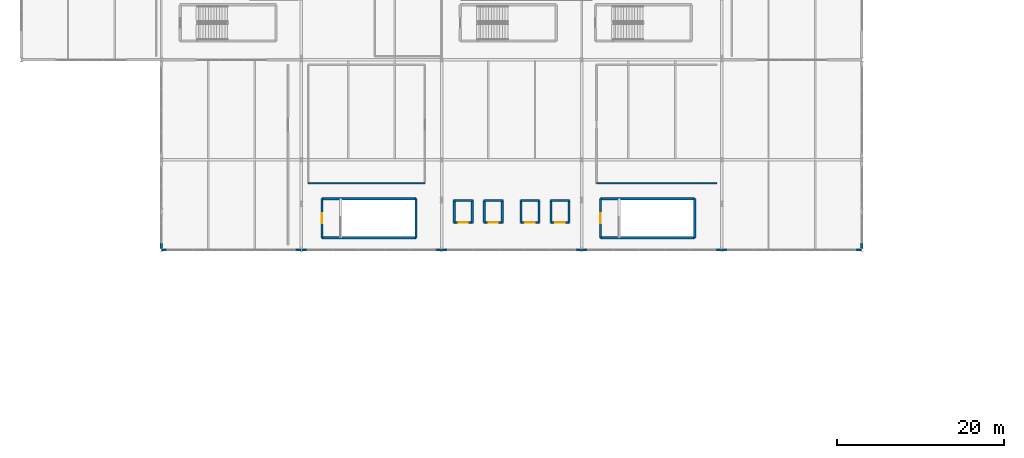
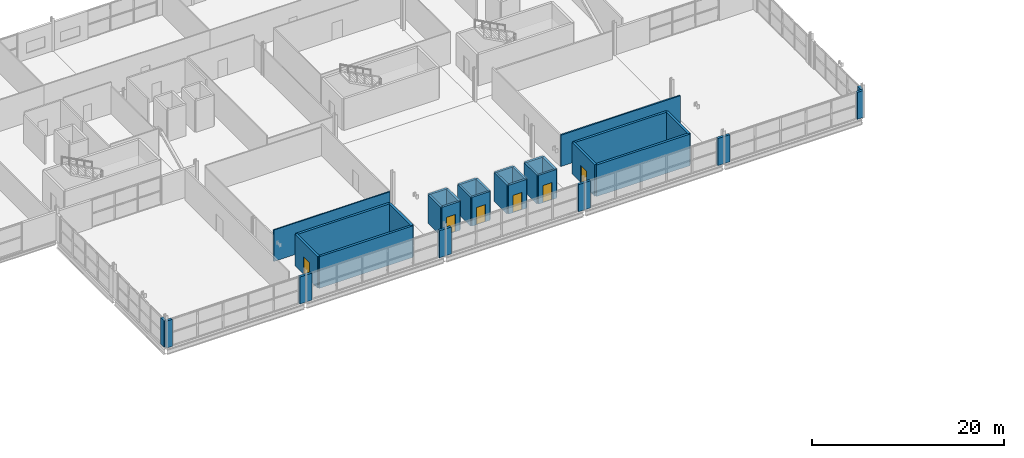
# One storey, part 30 of 39: 38 walls, 6 doors, 6 openings.
"""IFC4 building model written with IfcOpenShell, lengths in metres."""

from ifc_helpers import new_model, si_unit, direction, frame, frame_2d, origin, place, context, subcontext, project, spatial, rectangle, extrude, material, layer, layer_set, type_object, element, fill, save


model = new_model("IFC4")

# Units and contexts
model_context = context("Model", 3, precision=1e-05, world=origin(), true_north=direction((0.0, 1.0)))
body_context = subcontext(model_context, "Body", "Model", "MODEL_VIEW")
ifc_project = project(units=[si_unit("LENGTHUNIT", "METRE"), si_unit("AREAUNIT", "SQUARE_METRE"), si_unit("VOLUMEUNIT", "CUBIC_METRE"), si_unit("PLANEANGLEUNIT", "RADIAN"), si_unit("MASSUNIT", "GRAM", prefix="KILO")], contexts=[model_context])

# Site, building, storey
site_placement = place(None, origin())
site = spatial("IfcSite", under=ifc_project, at=site_placement, CompositionType="ELEMENT")
building_placement = place(site_placement, origin())
building = spatial("IfcBuilding", under=site, at=building_placement, Name="Kimbaza Rail Terminus", CompositionType="ELEMENT")
storey_placement = place(building_placement, frame((0.0, 0.0, 16.800048828125)))
storey = spatial("IfcBuildingStorey", under=building, at=storey_placement, Name="L03", CompositionType="ELEMENT", Elevation=16.800048828125)

# Walls
ifc_material_1 = material(Name="Precast concrete C40/50", Category="concrete")
ifc_layer_1 = layer(ifc_material_1, 0.280029296875)
ifc_layer_set_1 = layer_set([ifc_layer_1], Name="Precast concrete C40/50")
wall_type_1 = type_object("IfcWallType", Name="ARC-WL-EXT280", PredefinedType="STANDARD", material=ifc_layer_set_1)
wall_1_placement = place(storey_placement, frame((72.0, 80.340087890625, 0.0), z_axis=(0.0, 0.0, 1.0), x_axis=(0.0, 1.0, 0.0)))
element("IfcWall", 1, at=wall_1_placement, inside=storey, type_object=wall_type_1, Name="Over-Track Footbridge W Panoramic Curtain Wall 1 Corner Pier A", PredefinedType="STANDARD", context=body_context, shape_type="SweptSolid", body=[
    extrude(rectangle(XDim=0.719970703125, YDim=0.280029296875, at=frame_2d((0.35986328125, 0.0))), origin(), (0.0, 0.0, 1.0), 3.369873046875),
])
for number, where, z_axis, x_axis, name in (
    (2, (156.0, 80.340087890625, 0.0), (0.0, 0.0, 1.0), (0.0, 1.0, 0.0), "Over-Track Footbridge E Panoramic Curtain Wall 1 Corner Pier A"),
    (3, (72.0, 80.199951171875, 0.0), (0.0, 0.0, 1.0), (1.0, 0.0, 0.0), "Over-Track Footbridge South Curtain Wall 1 Corner Pier A"),
    (4, (88.080078125, 80.199951171875, 0.0), (0.0, 0.0, 1.0), (1.0, 0.0, 0.0), "Over-Track Footbridge South Curtain Wall 1 Corner Pier B"),
    (5, (88.800048828125, 80.199951171875, 0.0), (0.0, 0.0, 1.0), (1.0, 0.0, 0.0), "Over-Track Footbridge South Curtain Wall 2 Corner Pier A"),
):
    element("IfcWall", number, at=place(storey_placement, frame(where, z_axis=z_axis, x_axis=x_axis)), inside=storey, type_object=wall_type_1, Name=name, PredefinedType="STANDARD", context=body_context, shape_type="SweptSolid", body=[
        extrude(rectangle(XDim=0.719970703125, YDim=0.280029296875, at=frame_2d((0.35986328125, 0.0))), origin(), (0.0, 0.0, 1.0), 3.449951171875),
    ])
wall_2_placement = place(storey_placement, frame((104.8798828125, 80.199951171875, 0.0), z_axis=(0.0, 0.0, 1.0), x_axis=(1.0, 0.0, 0.0)))
element("IfcWall", 6, at=wall_2_placement, inside=storey, type_object=wall_type_1, Name="Over-Track Footbridge South Curtain Wall 2 Corner Pier B", PredefinedType="STANDARD", context=body_context, shape_type="SweptSolid", body=[
    extrude(rectangle(XDim=0.72021484375, YDim=0.280029296875, at=frame_2d((0.360107421875, 0.0))), origin(), (0.0, 0.0, 1.0), 3.449951171875),
])
for number, where, z_axis, x_axis, name in (
    (7, (105.60009765625, 80.199951171875, 0.0), (0.0, 0.0, 1.0), (1.0, 0.0, 0.0), "Over-Track Footbridge South Curtain Wall 3 Corner Pier A"),
    (8, (121.679931640625, 80.199951171875, 0.0), (0.0, 0.0, 1.0), (1.0, 0.0, 0.0), "Over-Track Footbridge South Curtain Wall 3 Corner Pier B"),
):
    element("IfcWall", number, at=place(storey_placement, frame(where, z_axis=z_axis, x_axis=x_axis)), inside=storey, type_object=wall_type_1, Name=name, PredefinedType="STANDARD", context=body_context, shape_type="SweptSolid", body=[
        extrude(rectangle(XDim=0.719970703125, YDim=0.280029296875, at=frame_2d((0.35986328125, 0.0))), origin(), (0.0, 0.0, 1.0), 3.449951171875),
    ])
wall_3_placement = place(storey_placement, frame((122.39990234375, 80.199951171875, 0.0), z_axis=(0.0, 0.0, 1.0), x_axis=(1.0, 0.0, 0.0)))
element("IfcWall", 9, at=wall_3_placement, inside=storey, type_object=wall_type_1, Name="Over-Track Footbridge South Curtain Wall 4 Corner Pier A", PredefinedType="STANDARD", context=body_context, shape_type="SweptSolid", body=[
    extrude(rectangle(XDim=0.72021484375, YDim=0.280029296875, at=frame_2d((0.360107421875, 0.0))), origin(), (0.0, 0.0, 1.0), 3.449951171875),
])
for number, where, z_axis, x_axis, name in (
    (10, (138.47998046875, 80.199951171875, 0.0), (0.0, 0.0, 1.0), (1.0, 0.0, 0.0), "Over-Track Footbridge South Curtain Wall 4 Corner Pier B"),
    (11, (139.199951171875, 80.199951171875, 0.0), (0.0, 0.0, 1.0), (1.0, 0.0, 0.0), "Over-Track Footbridge South Curtain Wall 5 Corner Pier A"),
    (12, (155.280029296875, 80.199951171875, 0.0), (0.0, 0.0, 1.0), (1.0, 0.0, 0.0), "Over-Track Footbridge South Curtain Wall 5 Corner Pier B"),
):
    element("IfcWall", number, at=place(storey_placement, frame(where, z_axis=z_axis, x_axis=x_axis)), inside=storey, type_object=wall_type_1, Name=name, PredefinedType="STANDARD", context=body_context, shape_type="SweptSolid", body=[
        extrude(rectangle(XDim=0.719970703125, YDim=0.280029296875, at=frame_2d((0.35986328125, 0.0))), origin(), (0.0, 0.0, 1.0), 3.449951171875),
    ])
ifc_material_2 = material(Name="Acoustic gypsum stud partition", Category="gypsum")
ifc_layer_2 = layer(ifc_material_2, 0.139892578125)
ifc_layer_set_2 = layer_set([ifc_layer_2], Name="Acoustic gypsum stud partition")
wall_type_2 = type_object("IfcWallType", Name="ARC-WL-PART140", PredefinedType="PARTITIONING", material=ifc_layer_set_2)
wall_4_placement = place(storey_placement, frame((89.60009765625, 88.199951171875, 0.0), z_axis=(0.0, 0.0, 1.0), x_axis=(1.0, 0.0, 0.0)))
element("IfcWall", 13, at=wall_4_placement, inside=storey, type_object=wall_type_2, Name="Platform Dispatch Observation Suite Partition (south)", PredefinedType="PARTITIONING", context=body_context, shape_type="SweptSolid", body=[
    extrude(rectangle(XDim=14.0, YDim=0.139892578125, at=frame_2d((7.0, 0.0))), origin(), (0.0, 0.0, 1.0), 4.0),
])
ifc_material_3 = material(Name="Moisture-resistant blockwork C25/30", Category="masonry")
ifc_layer_3 = layer(ifc_material_3, 0.169921875)
ifc_layer_set_3 = layer_set([ifc_layer_3], Name="Moisture-resistant blockwork C25/30")
wall_type_3 = type_object("IfcWallType", Name="ARC-WL-PLMB170", PredefinedType="PLUMBINGWALL", material=ifc_layer_set_3)
wall_5_placement = place(storey_placement, frame((124.199951171875, 88.199951171875, 0.0), z_axis=(0.0, 0.0, 1.0), x_axis=(1.0, 0.0, 0.0)))
element("IfcWall", 14, at=wall_5_placement, inside=storey, type_object=wall_type_3, Name="Footbridge Passenger and Accessible WC Partition (south)", PredefinedType="PLUMBINGWALL", context=body_context, shape_type="SweptSolid", body=[
    extrude(rectangle(XDim=14.400146484375, YDim=0.169921875, at=frame_2d((7.2001953125, 0.0))), origin(), (0.0, 0.0, 1.0), 4.0),
])

# Wall, opening, door
ifc_material_4 = material(Name="Concrete C40/50", Category="concrete")
ifc_layer_4 = layer(ifc_material_4, 0.25)
ifc_layer_set_4 = layer_set([ifc_layer_4], Name="Concrete C40/50")
wall_type_4 = type_object("IfcWallType", Name="STR-WL-CORE250", PredefinedType="SHEAR", material=ifc_layer_set_4)
wall_6_placement = place(storey_placement, frame((107.1201171875, 83.469970703125, 0.0), z_axis=(0.0, 0.0, 1.0), x_axis=(1.0, 0.0, 0.0)))
wall_6 = element("IfcWall", 15, at=wall_6_placement, inside=storey, type_object=wall_type_4, Name="Lift Shaft Wall LP-01 L03-1", PredefinedType="SHEAR", context=body_context, shape_type="SweptSolid", body=[
    extrude(rectangle(XDim=2.159912109375, YDim=0.25, at=frame_2d((1.080078125, 0.0))), origin(), (0.0, 0.0, 1.0), 3.675048828125),
])
opening_1_placement = place(wall_6_placement, frame((0.530029296875, 0.0, 0.0)))
opening_1 = element("IfcOpeningElement", 16, at=opening_1_placement, cuts=wall_6, Name="Opening LD-01", PredefinedType="OPENING", context=body_context, shape_type="SweptSolid", body=[
    extrude(rectangle(XDim=1.10009765625, YDim=2.199951171875, at=frame_2d((0.550048828125, 1.10009765625))), frame((0.0, 0.135009765625, 0.0), z_axis=(0.0, -1.0, 0.0), x_axis=(1.0, 0.0, 0.0)), (0.0, 0.0, 1.0), 0.27001953125),
])
ifc_material_5 = material(Name="Brushed stainless steel sliding landing door", Category="steel")
door_type_1 = type_object("IfcDoorType", Name="ARC-DR-LD110", OperationType="NOTDEFINED", PredefinedType="DOOR", material=ifc_material_5)
door_1_placement = place(opening_1_placement, origin())
door_1 = element("IfcDoor", 17, at=door_1_placement, inside=storey, type_object=door_type_1, Name="LDR-LP-01-L03", OperationType="SLIDING_TO_LEFT", OverallHeight=2.199951171875, OverallWidth=1.10009765625, PredefinedType="DOOR", context=body_context, shape_type="SweptSolid", body=[
    extrude(rectangle(XDim=1.10009765625, YDim=2.199951171875, at=frame_2d((0.550048828125, 1.10009765625))), frame((0.0, 0.02490234375, 0.0), z_axis=(0.0, -1.0, 0.0), x_axis=(1.0, 0.0, 0.0)), (0.0, 0.0, 1.0), 0.050048828125),
])
fill(opening_1, door_1)

# Walls
wall_7_placement = place(storey_placement, frame((109.280029296875, 83.469970703125, 0.0), z_axis=(0.0, 0.0, 1.0), x_axis=(0.0, 1.0, 0.0)))
element("IfcWall", 18, at=wall_7_placement, inside=storey, type_object=wall_type_4, Name="Lift Shaft Wall LP-01 L03-2", PredefinedType="SHEAR", context=body_context, shape_type="SweptSolid", body=[
    extrude(rectangle(XDim=2.659912109375, YDim=0.25, at=frame_2d((1.330078125, 0.0))), origin(), (0.0, 0.0, 1.0), 3.675048828125),
])
wall_8_placement = place(storey_placement, frame((109.280029296875, 86.1298828125, 0.0), z_axis=(0.0, 0.0, 1.0), x_axis=(-1.0, 0.0, 0.0)))
element("IfcWall", 19, at=wall_8_placement, inside=storey, type_object=wall_type_4, Name="Lift Shaft Wall LP-01 L03-3", PredefinedType="SHEAR", context=body_context, shape_type="SweptSolid", body=[
    extrude(rectangle(XDim=2.159912109375, YDim=0.25, at=frame_2d((1.080078125, 0.0))), origin(), (0.0, 0.0, 1.0), 3.675048828125),
])
wall_9_placement = place(storey_placement, frame((107.1201171875, 86.1298828125, 0.0), z_axis=(0.0, 0.0, 1.0), x_axis=(0.0, -1.0, 0.0)))
element("IfcWall", 20, at=wall_9_placement, inside=storey, type_object=wall_type_4, Name="Lift Shaft Wall LP-01 L03-4", PredefinedType="SHEAR", context=body_context, shape_type="SweptSolid", body=[
    extrude(rectangle(XDim=2.659912109375, YDim=0.25, at=frame_2d((1.330078125, 0.0))), origin(), (0.0, 0.0, 1.0), 3.675048828125),
])

# Wall, opening, door
wall_10_placement = place(storey_placement, frame((110.719970703125, 83.469970703125, 0.0), z_axis=(0.0, 0.0, 1.0), x_axis=(1.0, 0.0, 0.0)))
wall_10 = element("IfcWall", 21, at=wall_10_placement, inside=storey, type_object=wall_type_4, Name="Lift Shaft Wall LP-02 L03-1", PredefinedType="SHEAR", context=body_context, shape_type="SweptSolid", body=[
    extrude(rectangle(XDim=2.159912109375, YDim=0.25, at=frame_2d((1.080078125, 0.0))), origin(), (0.0, 0.0, 1.0), 3.675048828125),
])
opening_2_placement = place(wall_10_placement, frame((0.530029296875, 0.0, 0.0)))
opening_2 = element("IfcOpeningElement", 22, at=opening_2_placement, cuts=wall_10, Name="Opening LD-01", PredefinedType="OPENING", context=body_context, shape_type="SweptSolid", body=[
    extrude(rectangle(XDim=1.10009765625, YDim=2.199951171875, at=frame_2d((0.550048828125, 1.10009765625))), frame((0.0, 0.135009765625, 0.0), z_axis=(0.0, -1.0, 0.0), x_axis=(1.0, 0.0, 0.0)), (0.0, 0.0, 1.0), 0.27001953125),
])
door_2_placement = place(opening_2_placement, origin())
door_2 = element("IfcDoor", 23, at=door_2_placement, inside=storey, type_object=door_type_1, Name="LDR-LP-02-L03", OperationType="SLIDING_TO_LEFT", OverallHeight=2.199951171875, OverallWidth=1.10009765625, PredefinedType="DOOR", context=body_context, shape_type="SweptSolid", body=[
    extrude(rectangle(XDim=1.10009765625, YDim=2.199951171875, at=frame_2d((0.550048828125, 1.10009765625))), frame((0.0, 0.02490234375, 0.0), z_axis=(0.0, -1.0, 0.0), x_axis=(1.0, 0.0, 0.0)), (0.0, 0.0, 1.0), 0.050048828125),
])
fill(opening_2, door_2)

# Walls
wall_11_placement = place(storey_placement, frame((112.8798828125, 83.469970703125, 0.0), z_axis=(0.0, 0.0, 1.0), x_axis=(0.0, 1.0, 0.0)))
element("IfcWall", 24, at=wall_11_placement, inside=storey, type_object=wall_type_4, Name="Lift Shaft Wall LP-02 L03-2", PredefinedType="SHEAR", context=body_context, shape_type="SweptSolid", body=[
    extrude(rectangle(XDim=2.659912109375, YDim=0.25, at=frame_2d((1.330078125, 0.0))), origin(), (0.0, 0.0, 1.0), 3.675048828125),
])
wall_12_placement = place(storey_placement, frame((112.8798828125, 86.1298828125, 0.0), z_axis=(0.0, 0.0, 1.0), x_axis=(-1.0, 0.0, 0.0)))
element("IfcWall", 25, at=wall_12_placement, inside=storey, type_object=wall_type_4, Name="Lift Shaft Wall LP-02 L03-3", PredefinedType="SHEAR", context=body_context, shape_type="SweptSolid", body=[
    extrude(rectangle(XDim=2.159912109375, YDim=0.25, at=frame_2d((1.080078125, 0.0))), origin(), (0.0, 0.0, 1.0), 3.675048828125),
])
wall_13_placement = place(storey_placement, frame((110.719970703125, 86.1298828125, 0.0), z_axis=(0.0, 0.0, 1.0), x_axis=(0.0, -1.0, 0.0)))
element("IfcWall", 26, at=wall_13_placement, inside=storey, type_object=wall_type_4, Name="Lift Shaft Wall LP-02 L03-4", PredefinedType="SHEAR", context=body_context, shape_type="SweptSolid", body=[
    extrude(rectangle(XDim=2.659912109375, YDim=0.25, at=frame_2d((1.330078125, 0.0))), origin(), (0.0, 0.0, 1.0), 3.675048828125),
])

# Wall, opening, door
wall_14_placement = place(storey_placement, frame((115.1201171875, 83.469970703125, 0.0), z_axis=(0.0, 0.0, 1.0), x_axis=(1.0, 0.0, 0.0)))
wall_14 = element("IfcWall", 27, at=wall_14_placement, inside=storey, type_object=wall_type_4, Name="Lift Shaft Wall LP-03 L03-1", PredefinedType="SHEAR", context=body_context, shape_type="SweptSolid", body=[
    extrude(rectangle(XDim=2.159912109375, YDim=0.25, at=frame_2d((1.080078125, 0.0))), origin(), (0.0, 0.0, 1.0), 3.675048828125),
])
opening_3_placement = place(wall_14_placement, frame((0.530029296875, 0.0, 0.0)))
opening_3 = element("IfcOpeningElement", 28, at=opening_3_placement, cuts=wall_14, Name="Opening LD-01", PredefinedType="OPENING", context=body_context, shape_type="SweptSolid", body=[
    extrude(rectangle(XDim=1.10009765625, YDim=2.199951171875, at=frame_2d((0.550048828125, 1.10009765625))), frame((0.0, 0.135009765625, 0.0), z_axis=(0.0, -1.0, 0.0), x_axis=(1.0, 0.0, 0.0)), (0.0, 0.0, 1.0), 0.27001953125),
])
door_3_placement = place(opening_3_placement, origin())
door_3 = element("IfcDoor", 29, at=door_3_placement, inside=storey, type_object=door_type_1, Name="LDR-LP-03-L03", OperationType="SLIDING_TO_LEFT", OverallHeight=2.199951171875, OverallWidth=1.10009765625, PredefinedType="DOOR", context=body_context, shape_type="SweptSolid", body=[
    extrude(rectangle(XDim=1.10009765625, YDim=2.199951171875, at=frame_2d((0.550048828125, 1.10009765625))), frame((0.0, 0.02490234375, 0.0), z_axis=(0.0, -1.0, 0.0), x_axis=(1.0, 0.0, 0.0)), (0.0, 0.0, 1.0), 0.050048828125),
])
fill(opening_3, door_3)

# Walls
wall_15_placement = place(storey_placement, frame((117.280029296875, 83.469970703125, 0.0), z_axis=(0.0, 0.0, 1.0), x_axis=(0.0, 1.0, 0.0)))
element("IfcWall", 30, at=wall_15_placement, inside=storey, type_object=wall_type_4, Name="Lift Shaft Wall LP-03 L03-2", PredefinedType="SHEAR", context=body_context, shape_type="SweptSolid", body=[
    extrude(rectangle(XDim=2.659912109375, YDim=0.25, at=frame_2d((1.330078125, 0.0))), origin(), (0.0, 0.0, 1.0), 3.675048828125),
])
wall_16_placement = place(storey_placement, frame((117.280029296875, 86.1298828125, 0.0), z_axis=(0.0, 0.0, 1.0), x_axis=(-1.0, 0.0, 0.0)))
element("IfcWall", 31, at=wall_16_placement, inside=storey, type_object=wall_type_4, Name="Lift Shaft Wall LP-03 L03-3", PredefinedType="SHEAR", context=body_context, shape_type="SweptSolid", body=[
    extrude(rectangle(XDim=2.159912109375, YDim=0.25, at=frame_2d((1.080078125, 0.0))), origin(), (0.0, 0.0, 1.0), 3.675048828125),
])
wall_17_placement = place(storey_placement, frame((115.1201171875, 86.1298828125, 0.0), z_axis=(0.0, 0.0, 1.0), x_axis=(0.0, -1.0, 0.0)))
element("IfcWall", 32, at=wall_17_placement, inside=storey, type_object=wall_type_4, Name="Lift Shaft Wall LP-03 L03-4", PredefinedType="SHEAR", context=body_context, shape_type="SweptSolid", body=[
    extrude(rectangle(XDim=2.659912109375, YDim=0.25, at=frame_2d((1.330078125, 0.0))), origin(), (0.0, 0.0, 1.0), 3.675048828125),
])

# Wall, opening, door
wall_18_placement = place(storey_placement, frame((118.719970703125, 83.469970703125, 0.0), z_axis=(0.0, 0.0, 1.0), x_axis=(1.0, 0.0, 0.0)))
wall_18 = element("IfcWall", 33, at=wall_18_placement, inside=storey, type_object=wall_type_4, Name="Lift Shaft Wall LP-04 L03-1", PredefinedType="SHEAR", context=body_context, shape_type="SweptSolid", body=[
    extrude(rectangle(XDim=2.159912109375, YDim=0.25, at=frame_2d((1.080078125, 0.0))), origin(), (0.0, 0.0, 1.0), 3.675048828125),
])
opening_4_placement = place(wall_18_placement, frame((0.530029296875, 0.0, 0.0)))
opening_4 = element("IfcOpeningElement", 34, at=opening_4_placement, cuts=wall_18, Name="Opening LD-01", PredefinedType="OPENING", context=body_context, shape_type="SweptSolid", body=[
    extrude(rectangle(XDim=1.10009765625, YDim=2.199951171875, at=frame_2d((0.550048828125, 1.10009765625))), frame((0.0, 0.135009765625, 0.0), z_axis=(0.0, -1.0, 0.0), x_axis=(1.0, 0.0, 0.0)), (0.0, 0.0, 1.0), 0.27001953125),
])
door_4_placement = place(opening_4_placement, origin())
door_4 = element("IfcDoor", 35, at=door_4_placement, inside=storey, type_object=door_type_1, Name="LDR-LP-04-L03", OperationType="SLIDING_TO_LEFT", OverallHeight=2.199951171875, OverallWidth=1.10009765625, PredefinedType="DOOR", context=body_context, shape_type="SweptSolid", body=[
    extrude(rectangle(XDim=1.10009765625, YDim=2.199951171875, at=frame_2d((0.550048828125, 1.10009765625))), frame((0.0, 0.02490234375, 0.0), z_axis=(0.0, -1.0, 0.0), x_axis=(1.0, 0.0, 0.0)), (0.0, 0.0, 1.0), 0.050048828125),
])
fill(opening_4, door_4)

# Walls
wall_19_placement = place(storey_placement, frame((120.8798828125, 83.469970703125, 0.0), z_axis=(0.0, 0.0, 1.0), x_axis=(0.0, 1.0, 0.0)))
element("IfcWall", 36, at=wall_19_placement, inside=storey, type_object=wall_type_4, Name="Lift Shaft Wall LP-04 L03-2", PredefinedType="SHEAR", context=body_context, shape_type="SweptSolid", body=[
    extrude(rectangle(XDim=2.659912109375, YDim=0.25, at=frame_2d((1.330078125, 0.0))), origin(), (0.0, 0.0, 1.0), 3.675048828125),
])
wall_20_placement = place(storey_placement, frame((120.8798828125, 86.1298828125, 0.0), z_axis=(0.0, 0.0, 1.0), x_axis=(-1.0, 0.0, 0.0)))
element("IfcWall", 37, at=wall_20_placement, inside=storey, type_object=wall_type_4, Name="Lift Shaft Wall LP-04 L03-3", PredefinedType="SHEAR", context=body_context, shape_type="SweptSolid", body=[
    extrude(rectangle(XDim=2.159912109375, YDim=0.25, at=frame_2d((1.080078125, 0.0))), origin(), (0.0, 0.0, 1.0), 3.675048828125),
])
wall_21_placement = place(storey_placement, frame((118.719970703125, 86.1298828125, 0.0), z_axis=(0.0, 0.0, 1.0), x_axis=(0.0, -1.0, 0.0)))
element("IfcWall", 38, at=wall_21_placement, inside=storey, type_object=wall_type_4, Name="Lift Shaft Wall LP-04 L03-4", PredefinedType="SHEAR", context=body_context, shape_type="SweptSolid", body=[
    extrude(rectangle(XDim=2.659912109375, YDim=0.25, at=frame_2d((1.330078125, 0.0))), origin(), (0.0, 0.0, 1.0), 3.675048828125),
])
ifc_material_6 = material(Name="Concrete C40/50", Category="concrete")
ifc_layer_5 = layer(ifc_material_6, 0.280029296875)
ifc_layer_set_5 = layer_set([ifc_layer_5], Name="Concrete C40/50")
wall_type_5 = type_object("IfcWallType", Name="STR-WL-CORE280", PredefinedType="SHEAR", material=ifc_layer_set_5)
wall_22_placement = place(storey_placement, frame((91.260009765625, 81.659912109375, 0.0), z_axis=(0.0, 0.0, 1.0), x_axis=(1.0, 0.0, 0.0)))
element("IfcWall", 39, at=wall_22_placement, inside=storey, type_object=wall_type_5, Name="Footbridge West Platform Stair Shaft Wall L03-1", PredefinedType="SHEAR", context=body_context, shape_type="SweptSolid", body=[
    extrude(rectangle(XDim=11.280029296875, YDim=0.280029296875, at=frame_2d((5.64013671875, 0.0))), origin(), (0.0, 0.0, 1.0), 4.02490234375),
])
wall_23_placement = place(storey_placement, frame((102.5400390625, 81.659912109375, 0.0), z_axis=(0.0, 0.0, 1.0), x_axis=(0.0, 1.0, 0.0)))
element("IfcWall", 40, at=wall_23_placement, inside=storey, type_object=wall_type_5, Name="Footbridge West Platform Stair Shaft Wall L03-2", PredefinedType="SHEAR", context=body_context, shape_type="SweptSolid", body=[
    extrude(rectangle(XDim=4.68017578125, YDim=0.280029296875, at=frame_2d((2.340087890625, 0.0))), origin(), (0.0, 0.0, 1.0), 4.02490234375),
])
wall_24_placement = place(storey_placement, frame((102.5400390625, 86.340087890625, 0.0), z_axis=(0.0, 0.0, 1.0), x_axis=(-1.0, 0.0, 0.0)))
element("IfcWall", 41, at=wall_24_placement, inside=storey, type_object=wall_type_5, Name="Footbridge West Platform Stair Shaft Wall L03-3", PredefinedType="SHEAR", context=body_context, shape_type="SweptSolid", body=[
    extrude(rectangle(XDim=11.280029296875, YDim=0.280029296875, at=frame_2d((5.64013671875, 0.0))), origin(), (0.0, 0.0, 1.0), 4.02490234375),
])

# Wall, opening, door
wall_25_placement = place(storey_placement, frame((91.260009765625, 86.340087890625, 0.0), z_axis=(0.0, 0.0, 1.0), x_axis=(0.0, -1.0, 0.0)))
wall_25 = element("IfcWall", 42, at=wall_25_placement, inside=storey, type_object=wall_type_5, Name="Footbridge West Platform Stair Shaft Wall L03-4", PredefinedType="SHEAR", context=body_context, shape_type="SweptSolid", body=[
    extrude(rectangle(XDim=4.68017578125, YDim=0.280029296875, at=frame_2d((2.340087890625, 0.0))), origin(), (0.0, 0.0, 1.0), 4.02490234375),
])
opening_5_placement = place(wall_25_placement, frame((1.715087890625, 0.0, 0.0)))
opening_5 = element("IfcOpeningElement", 43, at=opening_5_placement, cuts=wall_25, Name="Opening FD-02", PredefinedType="OPENING", context=body_context, shape_type="SweptSolid", body=[
    extrude(rectangle(XDim=1.25, YDim=2.199951171875, at=frame_2d((0.625, 1.10009765625))), frame((0.0, 0.14990234375, 0.0), z_axis=(0.0, -1.0, 0.0), x_axis=(1.0, 0.0, 0.0)), (0.0, 0.0, 1.0), 0.300048828125),
])
ifc_material_7 = material(Name="Galvanised painted steel fire stair door", Category="steel")
door_type_2 = type_object("IfcDoorType", Name="ARC-DR-FD125", OperationType="NOTDEFINED", PredefinedType="DOOR", material=ifc_material_7)
door_5_placement = place(opening_5_placement, origin())
door_5 = element("IfcDoor", 44, at=door_5_placement, inside=storey, type_object=door_type_2, Name="SDR-ST-C3-L03", OperationType="SINGLE_SWING_LEFT", OverallHeight=2.199951171875, OverallWidth=1.25, PredefinedType="DOOR", context=body_context, shape_type="SweptSolid", body=[
    extrude(rectangle(XDim=1.25, YDim=2.199951171875, at=frame_2d((0.625, 1.10009765625))), frame((0.0, 0.02490234375, 0.0), z_axis=(0.0, -1.0, 0.0), x_axis=(1.0, 0.0, 0.0)), (0.0, 0.0, 1.0), 0.050048828125),
])
fill(opening_5, door_5)

# Walls
wall_26_placement = place(storey_placement, frame((124.659912109375, 81.659912109375, 0.0), z_axis=(0.0, 0.0, 1.0), x_axis=(1.0, 0.0, 0.0)))
element("IfcWall", 45, at=wall_26_placement, inside=storey, type_object=wall_type_5, Name="Footbridge East Platform Stair Shaft Wall L03-1", PredefinedType="SHEAR", context=body_context, shape_type="SweptSolid", body=[
    extrude(rectangle(XDim=11.280029296875, YDim=0.280029296875, at=frame_2d((5.64013671875, 0.0))), origin(), (0.0, 0.0, 1.0), 4.02490234375),
])
wall_27_placement = place(storey_placement, frame((135.93994140625, 81.659912109375, 0.0), z_axis=(0.0, 0.0, 1.0), x_axis=(0.0, 1.0, 0.0)))
element("IfcWall", 46, at=wall_27_placement, inside=storey, type_object=wall_type_5, Name="Footbridge East Platform Stair Shaft Wall L03-2", PredefinedType="SHEAR", context=body_context, shape_type="SweptSolid", body=[
    extrude(rectangle(XDim=4.68017578125, YDim=0.280029296875, at=frame_2d((2.340087890625, 0.0))), origin(), (0.0, 0.0, 1.0), 4.02490234375),
])
wall_28_placement = place(storey_placement, frame((135.93994140625, 86.340087890625, 0.0), z_axis=(0.0, 0.0, 1.0), x_axis=(-1.0, 0.0, 0.0)))
element("IfcWall", 47, at=wall_28_placement, inside=storey, type_object=wall_type_5, Name="Footbridge East Platform Stair Shaft Wall L03-3", PredefinedType="SHEAR", context=body_context, shape_type="SweptSolid", body=[
    extrude(rectangle(XDim=11.280029296875, YDim=0.280029296875, at=frame_2d((5.64013671875, 0.0))), origin(), (0.0, 0.0, 1.0), 4.02490234375),
])

# Wall, opening, door
wall_29_placement = place(storey_placement, frame((124.659912109375, 86.340087890625, 0.0), z_axis=(0.0, 0.0, 1.0), x_axis=(0.0, -1.0, 0.0)))
wall_29 = element("IfcWall", 48, at=wall_29_placement, inside=storey, type_object=wall_type_5, Name="Footbridge East Platform Stair Shaft Wall L03-4", PredefinedType="SHEAR", context=body_context, shape_type="SweptSolid", body=[
    extrude(rectangle(XDim=4.68017578125, YDim=0.280029296875, at=frame_2d((2.340087890625, 0.0))), origin(), (0.0, 0.0, 1.0), 4.02490234375),
])
opening_6_placement = place(wall_29_placement, frame((1.715087890625, 0.0, 0.0)))
opening_6 = element("IfcOpeningElement", 49, at=opening_6_placement, cuts=wall_29, Name="Opening FD-02", PredefinedType="OPENING", context=body_context, shape_type="SweptSolid", body=[
    extrude(rectangle(XDim=1.25, YDim=2.199951171875, at=frame_2d((0.625, 1.10009765625))), frame((0.0, 0.14990234375, 0.0), z_axis=(0.0, -1.0, 0.0), x_axis=(1.0, 0.0, 0.0)), (0.0, 0.0, 1.0), 0.300048828125),
])
door_6_placement = place(opening_6_placement, origin())
door_6 = element("IfcDoor", 50, at=door_6_placement, inside=storey, type_object=door_type_2, Name="SDR-ST-C4-L03", OperationType="SINGLE_SWING_RIGHT", OverallHeight=2.199951171875, OverallWidth=1.25, PredefinedType="DOOR", context=body_context, shape_type="SweptSolid", body=[
    extrude(rectangle(XDim=1.25, YDim=2.199951171875, at=frame_2d((0.625, 1.10009765625))), frame((0.0, 0.02490234375, 0.0), z_axis=(0.0, -1.0, 0.0), x_axis=(1.0, 0.0, 0.0)), (0.0, 0.0, 1.0), 0.050048828125),
])
fill(opening_6, door_6)

save(model, "model.ifc")
